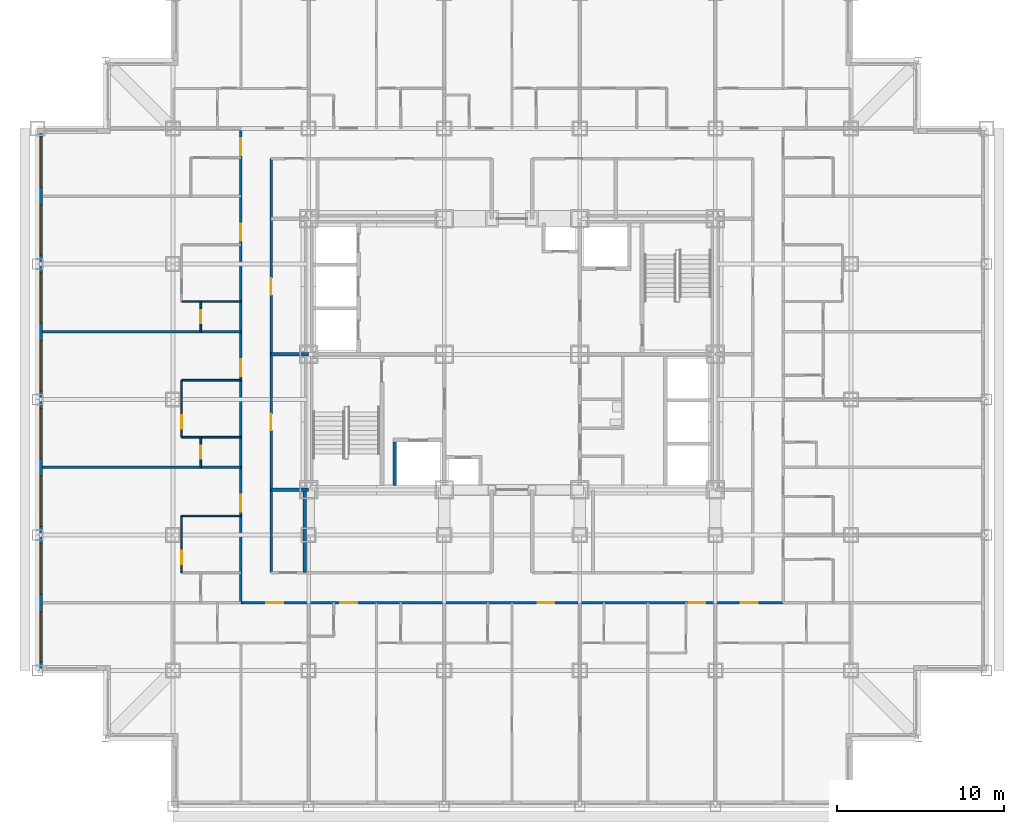
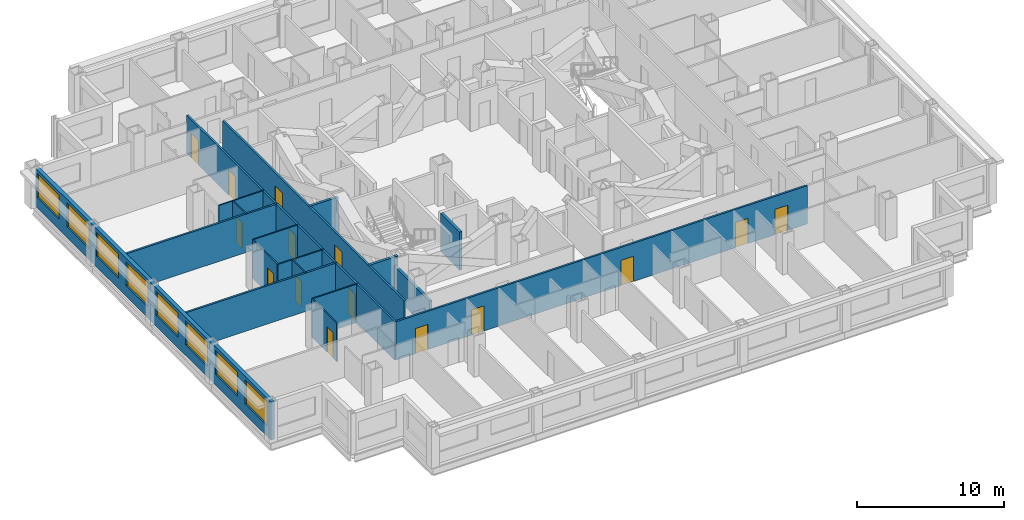
# One storey, part 5 of 13: 18 walls, 15 doors, 8 windows, 23 openings.
"""IFC4 building model written with IfcOpenShell, lengths in metres."""

from ifc_helpers import new_model, si_unit, direction, frame, frame_2d, origin, place, context, subcontext, project, spatial, rectangle, extrude, material, layer, layer_set, type_object, element, fill, save


model = new_model("IFC4")

# Units and contexts
model_context = context("Model", 3, precision=1e-05, world=origin(), true_north=direction((0.0, 1.0)))
body_context = subcontext(model_context, "Body", "Model", "MODEL_VIEW")
ifc_project = project(units=[si_unit("LENGTHUNIT", "METRE"), si_unit("AREAUNIT", "SQUARE_METRE"), si_unit("VOLUMEUNIT", "CUBIC_METRE"), si_unit("PLANEANGLEUNIT", "RADIAN"), si_unit("MASSUNIT", "GRAM", prefix="KILO")], contexts=[model_context])

# Site, building, storey
site_placement = place(None, origin())
site = spatial("IfcSite", under=ifc_project, at=site_placement, CompositionType="ELEMENT")
building_placement = place(site_placement, origin())
building = spatial("IfcBuilding", under=site, at=building_placement, Name="Kopane Lantern Tower", CompositionType="ELEMENT")
storey_placement = place(building_placement, frame((0.0, 0.0, 113.60009765625)))
storey = spatial("IfcBuildingStorey", under=building, at=storey_placement, Name="L28", CompositionType="ELEMENT", Elevation=113.60009765625)

# Wall, opening, door
ifc_material_1 = material(Name="Moisture-resistant board on steel studs", Category="steel")
ifc_layer_1 = layer(ifc_material_1, 0.10009765625)
ifc_layer_set_1 = layer_set([ifc_layer_1], Name="BATHROOM WALL 100")
wall_type_1 = type_object("IfcWallType", Name="BATHROOM WALL 100", PredefinedType="PARTITIONING", material=ifc_layer_set_1)
wall_1_placement = place(storey_placement, frame((8.610107421875, 19.35009765625, 0.0), z_axis=(0.0, 0.0, 1.0), x_axis=(0.0, 1.0, 0.0)))
wall_1 = element("IfcWall", 1, at=wall_1_placement, inside=storey, type_object=wall_type_1, Name="Bathroom Wall 100 L28", PredefinedType="PARTITIONING", context=body_context, shape_type="SweptSolid", body=[
    extrude(rectangle(XDim=3.39990234375, YDim=0.10009765625, at=frame_2d((1.699951171875, 0.0))), origin(), (0.0, 0.0, 1.0), 3.18994140625),
])
opening_1_placement = place(wall_1_placement, frame((0.5, 0.0, 0.0)))
opening_1 = element("IfcOpeningElement", 2, at=opening_1_placement, cuts=wall_1, Name="Opening L28-035", PredefinedType="OPENING", context=body_context, shape_type="SweptSolid", body=[
    extrude(rectangle(XDim=0.800048828125, YDim=2.10009765625, at=frame_2d((0.39990234375, 1.050048828125))), frame((0.0, 0.06005859375, 0.0), z_axis=(0.0, -1.0, 0.0), x_axis=(1.0, 0.0, 0.0)), (0.0, 0.0, 1.0), 0.1201171875),
])
ifc_material_2 = material(Name="Timber door set", Category="wood")
door_type_1 = type_object("IfcDoorType", Name="DOOR D2 800x2100", OperationType="SINGLE_SWING_LEFT", PredefinedType="DOOR", material=ifc_material_2)
door_1_placement = place(opening_1_placement, origin())
door_1 = element("IfcDoor", 3, at=door_1_placement, inside=storey, type_object=door_type_1, Name="Door L28-035", OperationType="SINGLE_SWING_RIGHT", OverallHeight=2.10009765625, OverallWidth=0.800048828125, PredefinedType="DOOR", context=body_context, shape_type="SweptSolid", body=[
    extrude(rectangle(XDim=0.800048828125, YDim=2.10009765625, at=frame_2d((0.39990234375, 1.050048828125))), frame((0.0, 0.02490234375, 0.0), z_axis=(0.0, -1.0, 0.0), x_axis=(1.0, 0.0, 0.0)), (0.0, 0.0, 1.0), 0.050048828125),
])
fill(opening_1, door_1)

# Wall
wall_2_placement = place(storey_placement, frame((12.14990234375, 22.75, 0.0), z_axis=(0.0, 0.0, 1.0), x_axis=(-1.0, 0.0, 0.0)))
element("IfcWall", 4, at=wall_2_placement, inside=storey, type_object=wall_type_1, Name="Bathroom Wall 100 L28", PredefinedType="PARTITIONING", context=body_context, shape_type="SweptSolid", body=[
    extrude(rectangle(XDim=3.539794921875, YDim=0.10009765625, at=frame_2d((1.77001953125, 0.0))), origin(), (0.0, 0.0, 1.0), 3.18994140625),
])

# Wall, opening, door
wall_3_placement = place(storey_placement, frame((8.610107421875, 27.449951171875, 0.0), z_axis=(0.0, 0.0, 1.0), x_axis=(0.0, 1.0, 0.0)))
wall_3 = element("IfcWall", 5, at=wall_3_placement, inside=storey, type_object=wall_type_1, Name="Bathroom Wall 100 L28", PredefinedType="PARTITIONING", context=body_context, shape_type="SweptSolid", body=[
    extrude(rectangle(XDim=3.400146484375, YDim=0.10009765625, at=frame_2d((1.7001953125, 0.0))), origin(), (0.0, 0.0, 1.0), 3.18994140625),
])
opening_2_placement = place(wall_3_placement, frame((0.5, 0.0, 0.0)))
opening_2 = element("IfcOpeningElement", 6, at=opening_2_placement, cuts=wall_3, Name="Opening L28-038", PredefinedType="OPENING", context=body_context, shape_type="SweptSolid", body=[
    extrude(rectangle(XDim=0.800048828125, YDim=2.10009765625, at=frame_2d((0.39990234375, 1.050048828125))), frame((0.0, 0.06005859375, 0.0), z_axis=(0.0, -1.0, 0.0), x_axis=(1.0, 0.0, 0.0)), (0.0, 0.0, 1.0), 0.1201171875),
])
door_2_placement = place(opening_2_placement, origin())
door_2 = element("IfcDoor", 7, at=door_2_placement, inside=storey, type_object=door_type_1, Name="Door L28-038", OperationType="SINGLE_SWING_RIGHT", OverallHeight=2.10009765625, OverallWidth=0.800048828125, PredefinedType="DOOR", context=body_context, shape_type="SweptSolid", body=[
    extrude(rectangle(XDim=0.800048828125, YDim=2.10009765625, at=frame_2d((0.39990234375, 1.050048828125))), frame((0.0, 0.02490234375, 0.0), z_axis=(0.0, -1.0, 0.0), x_axis=(1.0, 0.0, 0.0)), (0.0, 0.0, 1.0), 0.050048828125),
])
fill(opening_2, door_2)

wall_4_placement = place(storey_placement, frame((9.75, 25.64990234375, 0.0), z_axis=(0.0, 0.0, 1.0), x_axis=(0.0, 1.0, 0.0)))
wall_4 = element("IfcWall", 8, at=wall_4_placement, inside=storey, type_object=wall_type_1, Name="Bathroom Wall 100 L28", PredefinedType="PARTITIONING", context=body_context, shape_type="SweptSolid", body=[
    extrude(rectangle(XDim=1.800048828125, YDim=0.10009765625, at=frame_2d((0.89990234375, 0.0))), origin(), (0.0, 0.0, 1.0), 3.18994140625),
])
opening_3_placement = place(wall_4_placement, frame((0.5, 0.0, 0.0)))
opening_3 = element("IfcOpeningElement", 9, at=opening_3_placement, cuts=wall_4, Name="Opening L28-039", PredefinedType="OPENING", context=body_context, shape_type="SweptSolid", body=[
    extrude(rectangle(XDim=0.800048828125, YDim=2.10009765625, at=frame_2d((0.39990234375, 1.050048828125))), frame((0.0, 0.06005859375, 0.0), z_axis=(0.0, -1.0, 0.0), x_axis=(1.0, 0.0, 0.0)), (0.0, 0.0, 1.0), 0.1201171875),
])
door_3_placement = place(opening_3_placement, origin())
door_3 = element("IfcDoor", 10, at=door_3_placement, inside=storey, type_object=door_type_1, Name="Door L28-039", OperationType="SINGLE_SWING_RIGHT", OverallHeight=2.10009765625, OverallWidth=0.800048828125, PredefinedType="DOOR", context=body_context, shape_type="SweptSolid", body=[
    extrude(rectangle(XDim=0.800048828125, YDim=2.10009765625, at=frame_2d((0.39990234375, 1.050048828125))), frame((0.0, 0.02490234375, 0.0), z_axis=(0.0, -1.0, 0.0), x_axis=(1.0, 0.0, 0.0)), (0.0, 0.0, 1.0), 0.050048828125),
])
fill(opening_3, door_3)

# Walls
for number, where, z_axis, x_axis, name in (
    (11, (12.14990234375, 27.449951171875, 0.0), (0.0, 0.0, 1.0), (-1.0, 0.0, 0.0), "Bathroom Wall 100 L28"),
    (12, (12.14990234375, 30.85009765625, 0.0), (0.0, 0.0, 1.0), (-1.0, 0.0, 0.0), "Bathroom Wall 100 L28"),
):
    element("IfcWall", number, at=place(storey_placement, frame(where, z_axis=z_axis, x_axis=x_axis)), inside=storey, type_object=wall_type_1, Name=name, PredefinedType="PARTITIONING", context=body_context, shape_type="SweptSolid", body=[
        extrude(rectangle(XDim=3.539794921875, YDim=0.10009765625, at=frame_2d((1.77001953125, 0.0))), origin(), (0.0, 0.0, 1.0), 3.18994140625),
    ])

# Wall, opening, door
wall_5_placement = place(storey_placement, frame((9.75, 33.75, 0.0), z_axis=(0.0, 0.0, 1.0), x_axis=(0.0, 1.0, 0.0)))
wall_5 = element("IfcWall", 13, at=wall_5_placement, inside=storey, type_object=wall_type_1, Name="Bathroom Wall 100 L28", PredefinedType="PARTITIONING", context=body_context, shape_type="SweptSolid", body=[
    extrude(rectangle(XDim=1.800048828125, YDim=0.10009765625, at=frame_2d((0.89990234375, 0.0))), origin(), (0.0, 0.0, 1.0), 3.18994140625),
])
opening_4_placement = place(wall_5_placement, frame((0.5, 0.0, 0.0)))
opening_4 = element("IfcOpeningElement", 14, at=opening_4_placement, cuts=wall_5, Name="Opening L28-042", PredefinedType="OPENING", context=body_context, shape_type="SweptSolid", body=[
    extrude(rectangle(XDim=0.800048828125, YDim=2.10009765625, at=frame_2d((0.39990234375, 1.050048828125))), frame((0.0, 0.06005859375, 0.0), z_axis=(0.0, -1.0, 0.0), x_axis=(1.0, 0.0, 0.0)), (0.0, 0.0, 1.0), 0.1201171875),
])
door_4_placement = place(opening_4_placement, origin())
door_4 = element("IfcDoor", 15, at=door_4_placement, inside=storey, type_object=door_type_1, Name="Door L28-042", OperationType="SINGLE_SWING_RIGHT", OverallHeight=2.10009765625, OverallWidth=0.800048828125, PredefinedType="DOOR", context=body_context, shape_type="SweptSolid", body=[
    extrude(rectangle(XDim=0.800048828125, YDim=2.10009765625, at=frame_2d((0.39990234375, 1.050048828125))), frame((0.0, 0.02490234375, 0.0), z_axis=(0.0, -1.0, 0.0), x_axis=(1.0, 0.0, 0.0)), (0.0, 0.0, 1.0), 0.050048828125),
])
fill(opening_4, door_4)

# Wall
wall_6_placement = place(storey_placement, frame((12.14990234375, 35.550048828125, 0.0), z_axis=(0.0, 0.0, 1.0), x_axis=(-1.0, 0.0, 0.0)))
element("IfcWall", 16, at=wall_6_placement, inside=storey, type_object=wall_type_1, Name="Bathroom Wall 100 L28", PredefinedType="PARTITIONING", context=body_context, shape_type="SweptSolid", body=[
    extrude(rectangle(XDim=3.539794921875, YDim=0.10009765625, at=frame_2d((1.77001953125, 0.0))), origin(), (0.0, 0.0, 1.0), 3.18994140625),
])

# Wall, openings, doors
ifc_material_3 = material(Name="Gypsum board on steel studs", Category="steel")
ifc_layer_2 = layer(ifc_material_3, 0.14990234375)
ifc_layer_set_2 = layer_set([ifc_layer_2], Name="CORRIDOR WALL 150 EI 60")
wall_type_2 = type_object("IfcWallType", Name="CORRIDOR WALL 150 EI 60", PredefinedType="PARTITIONING", material=ifc_layer_set_2)
wall_7_placement = place(storey_placement, frame((12.14990234375, 17.550048828125, 0.0), z_axis=(0.0, 0.0, 1.0), x_axis=(1.0, 0.0, 0.0)))
wall_7 = element("IfcWall", 17, at=wall_7_placement, inside=storey, type_object=wall_type_2, Name="Corridor Wall 150 Ei 60 L28", PredefinedType="PARTITIONING", context=body_context, shape_type="SweptSolid", body=[
    extrude(rectangle(XDim=32.400146484375, YDim=0.14990234375, at=frame_2d((16.2001953125, 0.0))), origin(), (0.0, 0.0, 1.0), 3.18994140625),
])
opening_5_placement = place(wall_7_placement, frame((5.949951171875, 0.0, 0.0)))
opening_5 = element("IfcOpeningElement", 18, at=opening_5_placement, cuts=wall_7, Name="Opening L28-014", PredefinedType="OPENING", context=body_context, shape_type="SweptSolid", body=[
    extrude(rectangle(XDim=1.0, YDim=2.10009765625, at=frame_2d((0.5, 1.050048828125))), frame((0.0, 0.0849609375, 0.0), z_axis=(0.0, -1.0, 0.0), x_axis=(1.0, 0.0, 0.0)), (0.0, 0.0, 1.0), 0.169921875),
])
opening_6_placement = place(wall_7_placement, frame((17.72509765625, 0.0, 0.0)))
opening_6 = element("IfcOpeningElement", 19, at=opening_6_placement, cuts=wall_7, Name="Opening L28-017", PredefinedType="OPENING", context=body_context, shape_type="SweptSolid", body=[
    extrude(rectangle(XDim=1.0, YDim=2.10009765625, at=frame_2d((0.5, 1.050048828125))), frame((0.0, 0.0849609375, 0.0), z_axis=(0.0, -1.0, 0.0), x_axis=(1.0, 0.0, 0.0)), (0.0, 0.0, 1.0), 0.169921875),
])
opening_7_placement = place(wall_7_placement, frame((26.75, 0.0, 0.0)))
opening_7 = element("IfcOpeningElement", 20, at=opening_7_placement, cuts=wall_7, Name="Opening L28-023", PredefinedType="OPENING", context=body_context, shape_type="SweptSolid", body=[
    extrude(rectangle(XDim=1.0, YDim=2.10009765625, at=frame_2d((0.5, 1.050048828125))), frame((0.0, 0.0849609375, 0.0), z_axis=(0.0, -1.0, 0.0), x_axis=(1.0, 0.0, 0.0)), (0.0, 0.0, 1.0), 0.169921875),
])
opening_8_placement = place(wall_7_placement, frame((1.52490234375, 0.0, 0.0)))
opening_8 = element("IfcOpeningElement", 21, at=opening_8_placement, cuts=wall_7, Name="Opening L28-059", PredefinedType="OPENING", context=body_context, shape_type="SweptSolid", body=[
    extrude(rectangle(XDim=1.0, YDim=2.10009765625, at=frame_2d((0.5, 1.050048828125))), frame((0.0, 0.0849609375, 0.0), z_axis=(0.0, -1.0, 0.0), x_axis=(1.0, 0.0, 0.0)), (0.0, 0.0, 1.0), 0.169921875),
])
opening_9_placement = place(wall_7_placement, frame((29.875, 0.0, 0.0)))
opening_9 = element("IfcOpeningElement", 22, at=opening_9_placement, cuts=wall_7, Name="Opening L28-063", PredefinedType="OPENING", context=body_context, shape_type="SweptSolid", body=[
    extrude(rectangle(XDim=1.0, YDim=2.10009765625, at=frame_2d((0.5, 1.050048828125))), frame((0.0, 0.0849609375, 0.0), z_axis=(0.0, -1.0, 0.0), x_axis=(1.0, 0.0, 0.0)), (0.0, 0.0, 1.0), 0.169921875),
])
ifc_material_4 = material(Name="Steel door set", Category="steel")
door_type_2 = type_object("IfcDoorType", Name="DOOR D1 1000x2100 FD30S", OperationType="SINGLE_SWING_LEFT", PredefinedType="DOOR", material=ifc_material_4)
door_5_placement = place(opening_5_placement, origin())
door_5 = element("IfcDoor", 23, at=door_5_placement, inside=storey, type_object=door_type_2, Name="Door L28-014", OperationType="SINGLE_SWING_RIGHT", OverallHeight=2.10009765625, OverallWidth=1.0, PredefinedType="DOOR", context=body_context, shape_type="SweptSolid", body=[
    extrude(rectangle(XDim=1.0, YDim=2.10009765625, at=frame_2d((0.5, 1.050048828125))), frame((0.0, 0.02490234375, 0.0), z_axis=(0.0, -1.0, 0.0), x_axis=(1.0, 0.0, 0.0)), (0.0, 0.0, 1.0), 0.050048828125),
])
fill(opening_5, door_5)
door_6_placement = place(opening_6_placement, origin())
door_6 = element("IfcDoor", 24, at=door_6_placement, inside=storey, type_object=door_type_2, Name="Door L28-017", OperationType="SINGLE_SWING_RIGHT", OverallHeight=2.10009765625, OverallWidth=1.0, PredefinedType="DOOR", context=body_context, shape_type="SweptSolid", body=[
    extrude(rectangle(XDim=1.0, YDim=2.10009765625, at=frame_2d((0.5, 1.050048828125))), frame((0.0, 0.02490234375, 0.0), z_axis=(0.0, -1.0, 0.0), x_axis=(1.0, 0.0, 0.0)), (0.0, 0.0, 1.0), 0.050048828125),
])
fill(opening_6, door_6)
door_7_placement = place(opening_7_placement, origin())
door_7 = element("IfcDoor", 25, at=door_7_placement, inside=storey, type_object=door_type_2, Name="Door L28-023", OperationType="SINGLE_SWING_RIGHT", OverallHeight=2.10009765625, OverallWidth=1.0, PredefinedType="DOOR", context=body_context, shape_type="SweptSolid", body=[
    extrude(rectangle(XDim=1.0, YDim=2.10009765625, at=frame_2d((0.5, 1.050048828125))), frame((0.0, 0.02490234375, 0.0), z_axis=(0.0, -1.0, 0.0), x_axis=(1.0, 0.0, 0.0)), (0.0, 0.0, 1.0), 0.050048828125),
])
fill(opening_7, door_7)
door_8_placement = place(opening_8_placement, origin())
door_8 = element("IfcDoor", 26, at=door_8_placement, inside=storey, type_object=door_type_2, Name="Door L28-059", OperationType="SINGLE_SWING_LEFT", OverallHeight=2.10009765625, OverallWidth=1.0, PredefinedType="DOOR", context=body_context, shape_type="SweptSolid", body=[
    extrude(rectangle(XDim=1.0, YDim=2.10009765625, at=frame_2d((0.5, 1.050048828125))), frame((0.0, 0.02490234375, 0.0), z_axis=(0.0, -1.0, 0.0), x_axis=(1.0, 0.0, 0.0)), (0.0, 0.0, 1.0), 0.050048828125),
])
fill(opening_8, door_8)
door_9_placement = place(opening_9_placement, origin())
door_9 = element("IfcDoor", 27, at=door_9_placement, inside=storey, type_object=door_type_2, Name="Door L28-063", OperationType="SINGLE_SWING_RIGHT", OverallHeight=2.10009765625, OverallWidth=1.0, PredefinedType="DOOR", context=body_context, shape_type="SweptSolid", body=[
    extrude(rectangle(XDim=1.0, YDim=2.10009765625, at=frame_2d((0.5, 1.050048828125))), frame((0.0, 0.02490234375, 0.0), z_axis=(0.0, -1.0, 0.0), x_axis=(1.0, 0.0, 0.0)), (0.0, 0.0, 1.0), 0.050048828125),
])
fill(opening_9, door_9)

wall_8_placement = place(storey_placement, frame((12.14990234375, 17.550048828125, 0.0), z_axis=(0.0, 0.0, 1.0), x_axis=(0.0, 1.0, 0.0)))
wall_8 = element("IfcWall", 28, at=wall_8_placement, inside=storey, type_object=wall_type_2, Name="Corridor Wall 150 Ei 60 L28", PredefinedType="PARTITIONING", context=body_context, shape_type="SweptSolid", body=[
    extrude(rectangle(XDim=28.349853515625, YDim=0.14990234375, at=frame_2d((14.1748046875, 0.0))), origin(), (0.0, 0.0, 1.0), 3.18994140625),
])
opening_10_placement = place(wall_8_placement, frame((5.449951171875, 0.0, 0.0)))
opening_10 = element("IfcOpeningElement", 29, at=opening_10_placement, cuts=wall_8, Name="Opening L28-037", PredefinedType="OPENING", context=body_context, shape_type="SweptSolid", body=[
    extrude(rectangle(XDim=1.0, YDim=2.10009765625, at=frame_2d((0.5, 1.050048828125))), frame((0.0, 0.0849609375, 0.0), z_axis=(0.0, -1.0, 0.0), x_axis=(1.0, 0.0, 0.0)), (0.0, 0.0, 1.0), 0.169921875),
])
opening_11_placement = place(wall_8_placement, frame((13.550048828125, 0.0, 0.0)))
opening_11 = element("IfcOpeningElement", 30, at=opening_11_placement, cuts=wall_8, Name="Opening L28-040", PredefinedType="OPENING", context=body_context, shape_type="SweptSolid", body=[
    extrude(rectangle(XDim=1.0, YDim=2.10009765625, at=frame_2d((0.5, 1.050048828125))), frame((0.0, 0.0849609375, 0.0), z_axis=(0.0, -1.0, 0.0), x_axis=(1.0, 0.0, 0.0)), (0.0, 0.0, 1.0), 0.169921875),
])
opening_12_placement = place(wall_8_placement, frame((21.64990234375, 0.0, 0.0)))
opening_12 = element("IfcOpeningElement", 31, at=opening_12_placement, cuts=wall_8, Name="Opening L28-043", PredefinedType="OPENING", context=body_context, shape_type="SweptSolid", body=[
    extrude(rectangle(XDim=1.0, YDim=2.10009765625, at=frame_2d((0.5, 1.050048828125))), frame((0.0, 0.0849609375, 0.0), z_axis=(0.0, -1.0, 0.0), x_axis=(1.0, 0.0, 0.0)), (0.0, 0.0, 1.0), 0.169921875),
])
opening_13_placement = place(wall_8_placement, frame((26.75, 0.0, 0.0)))
opening_13 = element("IfcOpeningElement", 32, at=opening_13_placement, cuts=wall_8, Name="Opening L28-045", PredefinedType="OPENING", context=body_context, shape_type="SweptSolid", body=[
    extrude(rectangle(XDim=1.0, YDim=2.10009765625, at=frame_2d((0.5, 1.050048828125))), frame((0.0, 0.0849609375, 0.0), z_axis=(0.0, -1.0, 0.0), x_axis=(1.0, 0.0, 0.0)), (0.0, 0.0, 1.0), 0.169921875),
])
door_10_placement = place(opening_10_placement, origin())
door_10 = element("IfcDoor", 33, at=door_10_placement, inside=storey, type_object=door_type_2, Name="Door L28-037", OperationType="SINGLE_SWING_LEFT", OverallHeight=2.10009765625, OverallWidth=1.0, PredefinedType="DOOR", context=body_context, shape_type="SweptSolid", body=[
    extrude(rectangle(XDim=1.0, YDim=2.10009765625, at=frame_2d((0.5, 1.050048828125))), frame((0.0, 0.02490234375, 0.0), z_axis=(0.0, -1.0, 0.0), x_axis=(1.0, 0.0, 0.0)), (0.0, 0.0, 1.0), 0.050048828125),
])
fill(opening_10, door_10)
door_11_placement = place(opening_11_placement, origin())
door_11 = element("IfcDoor", 34, at=door_11_placement, inside=storey, type_object=door_type_2, Name="Door L28-040", OperationType="SINGLE_SWING_LEFT", OverallHeight=2.10009765625, OverallWidth=1.0, PredefinedType="DOOR", context=body_context, shape_type="SweptSolid", body=[
    extrude(rectangle(XDim=1.0, YDim=2.10009765625, at=frame_2d((0.5, 1.050048828125))), frame((0.0, 0.02490234375, 0.0), z_axis=(0.0, -1.0, 0.0), x_axis=(1.0, 0.0, 0.0)), (0.0, 0.0, 1.0), 0.050048828125),
])
fill(opening_11, door_11)
door_12_placement = place(opening_12_placement, origin())
door_12 = element("IfcDoor", 35, at=door_12_placement, inside=storey, type_object=door_type_2, Name="Door L28-043", OperationType="SINGLE_SWING_LEFT", OverallHeight=2.10009765625, OverallWidth=1.0, PredefinedType="DOOR", context=body_context, shape_type="SweptSolid", body=[
    extrude(rectangle(XDim=1.0, YDim=2.10009765625, at=frame_2d((0.5, 1.050048828125))), frame((0.0, 0.02490234375, 0.0), z_axis=(0.0, -1.0, 0.0), x_axis=(1.0, 0.0, 0.0)), (0.0, 0.0, 1.0), 0.050048828125),
])
fill(opening_12, door_12)
door_13_placement = place(opening_13_placement, origin())
door_13 = element("IfcDoor", 36, at=door_13_placement, inside=storey, type_object=door_type_2, Name="Door L28-045", OperationType="SINGLE_SWING_LEFT", OverallHeight=2.10009765625, OverallWidth=1.0, PredefinedType="DOOR", context=body_context, shape_type="SweptSolid", body=[
    extrude(rectangle(XDim=1.0, YDim=2.10009765625, at=frame_2d((0.5, 1.050048828125))), frame((0.0, 0.02490234375, 0.0), z_axis=(0.0, -1.0, 0.0), x_axis=(1.0, 0.0, 0.0)), (0.0, 0.0, 1.0), 0.050048828125),
])
fill(opening_13, door_13)

wall_9_placement = place(storey_placement, frame((13.949951171875, 44.10009765625, 0.0), z_axis=(0.0, 0.0, 1.0), x_axis=(0.0, -1.0, 0.0)))
wall_9 = element("IfcWall", 37, at=wall_9_placement, inside=storey, type_object=wall_type_2, Name="Corridor Wall 150 Ei 60 L28", PredefinedType="PARTITIONING", context=body_context, shape_type="SweptSolid", body=[
    extrude(rectangle(XDim=24.75, YDim=0.14990234375, at=frame_2d((12.375, 0.0))), origin(), (0.0, 0.0, 1.0), 3.18994140625),
])
opening_14_placement = place(wall_9_placement, frame((15.25, 0.0, 0.0)))
opening_14 = element("IfcOpeningElement", 38, at=opening_14_placement, cuts=wall_9, Name="Opening L28-001", PredefinedType="OPENING", context=body_context, shape_type="SweptSolid", body=[
    extrude(rectangle(XDim=1.0, YDim=2.10009765625, at=frame_2d((0.5, 1.050048828125))), frame((0.0, 0.0849609375, 0.0), z_axis=(0.0, -1.0, 0.0), x_axis=(1.0, 0.0, 0.0)), (0.0, 0.0, 1.0), 0.169921875),
])
opening_15_placement = place(wall_9_placement, frame((7.14990234375, 0.0, 0.0)))
opening_15 = element("IfcOpeningElement", 39, at=opening_15_placement, cuts=wall_9, Name="Opening L28-002", PredefinedType="OPENING", context=body_context, shape_type="SweptSolid", body=[
    extrude(rectangle(XDim=1.0, YDim=2.10009765625, at=frame_2d((0.5, 1.050048828125))), frame((0.0, 0.0849609375, 0.0), z_axis=(0.0, -1.0, 0.0), x_axis=(1.0, 0.0, 0.0)), (0.0, 0.0, 1.0), 0.169921875),
])
ifc_material_5 = material(Name="Steel door set", Category="steel")
door_type_3 = type_object("IfcDoorType", Name="DOOR D5 1000x2100 FD60", OperationType="SINGLE_SWING_LEFT", PredefinedType="DOOR", material=ifc_material_5)
door_14_placement = place(opening_14_placement, origin())
door_14 = element("IfcDoor", 40, at=door_14_placement, inside=storey, type_object=door_type_3, Name="Door L28-001", OperationType="SINGLE_SWING_RIGHT", OverallHeight=2.10009765625, OverallWidth=1.0, PredefinedType="DOOR", context=body_context, shape_type="SweptSolid", body=[
    extrude(rectangle(XDim=1.0, YDim=2.10009765625, at=frame_2d((0.5, 1.050048828125))), frame((0.0, 0.02490234375, 0.0), z_axis=(0.0, -1.0, 0.0), x_axis=(1.0, 0.0, 0.0)), (0.0, 0.0, 1.0), 0.050048828125),
])
fill(opening_14, door_14)
door_15_placement = place(opening_15_placement, origin())
door_15 = element("IfcDoor", 41, at=door_15_placement, inside=storey, type_object=door_type_3, Name="Door L28-002", OperationType="SINGLE_SWING_LEFT", OverallHeight=2.10009765625, OverallWidth=1.0, PredefinedType="DOOR", context=body_context, shape_type="SweptSolid", body=[
    extrude(rectangle(XDim=1.0, YDim=2.10009765625, at=frame_2d((0.5, 1.050048828125))), frame((0.0, 0.02490234375, 0.0), z_axis=(0.0, -1.0, 0.0), x_axis=(1.0, 0.0, 0.0)), (0.0, 0.0, 1.0), 0.050048828125),
])
fill(opening_15, door_15)

# Walls
ifc_material_6 = material(Name="Gypsum board on steel studs", Category="steel")
ifc_layer_3 = layer(ifc_material_6, 0.14990234375)
ifc_layer_set_3 = layer_set([ifc_layer_3], Name="DEMISING WALL 150 EI 60")
wall_type_3 = type_object("IfcWallType", Name="DEMISING WALL 150 EI 60", PredefinedType="PARTITIONING", material=ifc_layer_set_3)
for number, where, z_axis, x_axis, name in (
    (42, (12.14990234375, 25.64990234375, 0.0), (0.0, 0.0, 1.0), (-1.0, 0.0, 0.0), "Demising Wall 150 Ei 60 L28"),
    (43, (12.14990234375, 33.75, 0.0), (0.0, 0.0, 1.0), (-1.0, 0.0, 0.0), "Demising Wall 150 Ei 60 L28"),
):
    element("IfcWall", number, at=place(storey_placement, frame(where, z_axis=z_axis, x_axis=x_axis)), inside=storey, type_object=wall_type_3, Name=name, PredefinedType="PARTITIONING", context=body_context, shape_type="SweptSolid", body=[
        extrude(rectangle(XDim=11.849853515625, YDim=0.14990234375, at=frame_2d((5.9248046875, 0.0))), origin(), (0.0, 0.0, 1.0), 3.18994140625),
    ])

# Wall, openings, windows
ifc_material_7 = material(Name="Terracotta rainscreen on light steel framing", Category="masonry")
ifc_layer_4 = layer(ifc_material_7, 0.300048828125)
ifc_layer_set_4 = layer_set([ifc_layer_4], Name="EXTERNAL WALL EW1 300 TERRACOTTA")
wall_type_4 = type_object("IfcWallType", Name="EXTERNAL WALL EW1 300 TERRACOTTA", PredefinedType="SOLIDWALL", material=ifc_layer_set_4)
wall_10_placement = place(storey_placement, frame((0.14990234375, 45.60009765625, 0.0), z_axis=(0.0, 0.0, 1.0), x_axis=(0.0, -1.0, 0.0)))
wall_10 = element("IfcWall", 44, at=wall_10_placement, inside=storey, type_object=wall_type_4, Name="External wall W L28", PredefinedType="SOLIDWALL", context=body_context, shape_type="SweptSolid", body=[
    extrude(rectangle(XDim=32.10009765625, YDim=0.300048828125, at=frame_2d((16.050048828125, 0.0))), origin(), (0.0, 0.0, 1.0), 3.18994140625),
])
opening_16_placement = place(wall_10_placement, frame((0.22509765625, 0.0, 0.89990234375)))
opening_16 = element("IfcOpeningElement", 45, at=opening_16_placement, cuts=wall_10, Name="Opening WR300200", PredefinedType="OPENING", context=body_context, shape_type="SweptSolid", body=[
    extrude(rectangle(XDim=3.0, YDim=2.0, at=frame_2d((1.5, 1.0))), frame((0.0, 0.159912109375, 0.0), z_axis=(0.0, -1.0, 0.0), x_axis=(1.0, 0.0, 0.0)), (0.0, 0.0, 1.0), 0.320068359375),
])
opening_17_placement = place(wall_10_placement, frame((4.27490234375, 0.0, 0.89990234375)))
opening_17 = element("IfcOpeningElement", 46, at=opening_17_placement, cuts=wall_10, Name="Opening WR300200", PredefinedType="OPENING", context=body_context, shape_type="SweptSolid", body=[
    extrude(rectangle(XDim=3.0, YDim=2.0, at=frame_2d((1.5, 1.0))), frame((0.0, 0.159912109375, 0.0), z_axis=(0.0, -1.0, 0.0), x_axis=(1.0, 0.0, 0.0)), (0.0, 0.0, 1.0), 0.320068359375),
])
opening_18_placement = place(wall_10_placement, frame((8.324951171875, 0.0, 0.89990234375)))
opening_18 = element("IfcOpeningElement", 47, at=opening_18_placement, cuts=wall_10, Name="Opening WR300200", PredefinedType="OPENING", context=body_context, shape_type="SweptSolid", body=[
    extrude(rectangle(XDim=3.0, YDim=2.0, at=frame_2d((1.5, 1.0))), frame((0.0, 0.159912109375, 0.0), z_axis=(0.0, -1.0, 0.0), x_axis=(1.0, 0.0, 0.0)), (0.0, 0.0, 1.0), 0.320068359375),
])
opening_19_placement = place(wall_10_placement, frame((12.375, 0.0, 0.89990234375)))
opening_19 = element("IfcOpeningElement", 48, at=opening_19_placement, cuts=wall_10, Name="Opening WR300200", PredefinedType="OPENING", context=body_context, shape_type="SweptSolid", body=[
    extrude(rectangle(XDim=3.0, YDim=2.0, at=frame_2d((1.5, 1.0))), frame((0.0, 0.159912109375, 0.0), z_axis=(0.0, -1.0, 0.0), x_axis=(1.0, 0.0, 0.0)), (0.0, 0.0, 1.0), 0.320068359375),
])
opening_20_placement = place(wall_10_placement, frame((16.425048828125, 0.0, 0.89990234375)))
opening_20 = element("IfcOpeningElement", 49, at=opening_20_placement, cuts=wall_10, Name="Opening WR300200", PredefinedType="OPENING", context=body_context, shape_type="SweptSolid", body=[
    extrude(rectangle(XDim=3.0, YDim=2.0, at=frame_2d((1.5, 1.0))), frame((0.0, 0.159912109375, 0.0), z_axis=(0.0, -1.0, 0.0), x_axis=(1.0, 0.0, 0.0)), (0.0, 0.0, 1.0), 0.320068359375),
])
opening_21_placement = place(wall_10_placement, frame((20.47509765625, 0.0, 0.89990234375)))
opening_21 = element("IfcOpeningElement", 50, at=opening_21_placement, cuts=wall_10, Name="Opening WR300200", PredefinedType="OPENING", context=body_context, shape_type="SweptSolid", body=[
    extrude(rectangle(XDim=3.0, YDim=2.0, at=frame_2d((1.5, 1.0))), frame((0.0, 0.159912109375, 0.0), z_axis=(0.0, -1.0, 0.0), x_axis=(1.0, 0.0, 0.0)), (0.0, 0.0, 1.0), 0.320068359375),
])
opening_22_placement = place(wall_10_placement, frame((24.52490234375, 0.0, 0.89990234375)))
opening_22 = element("IfcOpeningElement", 51, at=opening_22_placement, cuts=wall_10, Name="Opening WR300200", PredefinedType="OPENING", context=body_context, shape_type="SweptSolid", body=[
    extrude(rectangle(XDim=3.0, YDim=2.0, at=frame_2d((1.5, 1.0))), frame((0.0, 0.159912109375, 0.0), z_axis=(0.0, -1.0, 0.0), x_axis=(1.0, 0.0, 0.0)), (0.0, 0.0, 1.0), 0.320068359375),
])
opening_23_placement = place(wall_10_placement, frame((28.574951171875, 0.0, 0.89990234375)))
opening_23 = element("IfcOpeningElement", 52, at=opening_23_placement, cuts=wall_10, Name="Opening WR300200", PredefinedType="OPENING", context=body_context, shape_type="SweptSolid", body=[
    extrude(rectangle(XDim=3.0, YDim=2.0, at=frame_2d((1.5, 1.0))), frame((0.0, 0.159912109375, 0.0), z_axis=(0.0, -1.0, 0.0), x_axis=(1.0, 0.0, 0.0)), (0.0, 0.0, 1.0), 0.320068359375),
])
ifc_material_8 = material(Name="Aluminium and clear glass", Category="aluminium")
window_type = type_object("IfcWindowType", Name="RIBBON WINDOW WR300200 3000x2000", PartitioningType="SINGLE_PANEL", PredefinedType="WINDOW", material=ifc_material_8)
window_1_placement = place(opening_16_placement, origin())
window_1 = element("IfcWindow", 53, at=window_1_placement, inside=storey, type_object=window_type, Name="Window W L28", OverallHeight=2.0, OverallWidth=3.0, PartitioningType="SINGLE_PANEL", PredefinedType="WINDOW", context=body_context, shape_type="SweptSolid", body=[
    extrude(rectangle(XDim=3.0, YDim=2.0, at=frame_2d((1.5, 1.0))), frame((0.0, 0.030029296875, 0.0), z_axis=(0.0, -1.0, 0.0), x_axis=(1.0, 0.0, 0.0)), (0.0, 0.0, 1.0), 0.06005859375),
])
fill(opening_16, window_1)
window_2_placement = place(opening_17_placement, origin())
window_2 = element("IfcWindow", 54, at=window_2_placement, inside=storey, type_object=window_type, Name="Window W L28", OverallHeight=2.0, OverallWidth=3.0, PartitioningType="SINGLE_PANEL", PredefinedType="WINDOW", context=body_context, shape_type="SweptSolid", body=[
    extrude(rectangle(XDim=3.0, YDim=2.0, at=frame_2d((1.5, 1.0))), frame((0.0, 0.030029296875, 0.0), z_axis=(0.0, -1.0, 0.0), x_axis=(1.0, 0.0, 0.0)), (0.0, 0.0, 1.0), 0.06005859375),
])
fill(opening_17, window_2)
window_3_placement = place(opening_18_placement, origin())
window_3 = element("IfcWindow", 55, at=window_3_placement, inside=storey, type_object=window_type, Name="Window W L28", OverallHeight=2.0, OverallWidth=3.0, PartitioningType="SINGLE_PANEL", PredefinedType="WINDOW", context=body_context, shape_type="SweptSolid", body=[
    extrude(rectangle(XDim=3.0, YDim=2.0, at=frame_2d((1.5, 1.0))), frame((0.0, 0.030029296875, 0.0), z_axis=(0.0, -1.0, 0.0), x_axis=(1.0, 0.0, 0.0)), (0.0, 0.0, 1.0), 0.06005859375),
])
fill(opening_18, window_3)
window_4_placement = place(opening_19_placement, origin())
window_4 = element("IfcWindow", 56, at=window_4_placement, inside=storey, type_object=window_type, Name="Window W L28", OverallHeight=2.0, OverallWidth=3.0, PartitioningType="SINGLE_PANEL", PredefinedType="WINDOW", context=body_context, shape_type="SweptSolid", body=[
    extrude(rectangle(XDim=3.0, YDim=2.0, at=frame_2d((1.5, 1.0))), frame((0.0, 0.030029296875, 0.0), z_axis=(0.0, -1.0, 0.0), x_axis=(1.0, 0.0, 0.0)), (0.0, 0.0, 1.0), 0.06005859375),
])
fill(opening_19, window_4)
window_5_placement = place(opening_20_placement, origin())
window_5 = element("IfcWindow", 57, at=window_5_placement, inside=storey, type_object=window_type, Name="Window W L28", OverallHeight=2.0, OverallWidth=3.0, PartitioningType="SINGLE_PANEL", PredefinedType="WINDOW", context=body_context, shape_type="SweptSolid", body=[
    extrude(rectangle(XDim=3.0, YDim=2.0, at=frame_2d((1.5, 1.0))), frame((0.0, 0.030029296875, 0.0), z_axis=(0.0, -1.0, 0.0), x_axis=(1.0, 0.0, 0.0)), (0.0, 0.0, 1.0), 0.06005859375),
])
fill(opening_20, window_5)
window_6_placement = place(opening_21_placement, origin())
window_6 = element("IfcWindow", 58, at=window_6_placement, inside=storey, type_object=window_type, Name="Window W L28", OverallHeight=2.0, OverallWidth=3.0, PartitioningType="SINGLE_PANEL", PredefinedType="WINDOW", context=body_context, shape_type="SweptSolid", body=[
    extrude(rectangle(XDim=3.0, YDim=2.0, at=frame_2d((1.5, 1.0))), frame((0.0, 0.030029296875, 0.0), z_axis=(0.0, -1.0, 0.0), x_axis=(1.0, 0.0, 0.0)), (0.0, 0.0, 1.0), 0.06005859375),
])
fill(opening_21, window_6)
window_7_placement = place(opening_22_placement, origin())
window_7 = element("IfcWindow", 59, at=window_7_placement, inside=storey, type_object=window_type, Name="Window W L28", OverallHeight=2.0, OverallWidth=3.0, PartitioningType="SINGLE_PANEL", PredefinedType="WINDOW", context=body_context, shape_type="SweptSolid", body=[
    extrude(rectangle(XDim=3.0, YDim=2.0, at=frame_2d((1.5, 1.0))), frame((0.0, 0.030029296875, 0.0), z_axis=(0.0, -1.0, 0.0), x_axis=(1.0, 0.0, 0.0)), (0.0, 0.0, 1.0), 0.06005859375),
])
fill(opening_22, window_7)
window_8_placement = place(opening_23_placement, origin())
window_8 = element("IfcWindow", 60, at=window_8_placement, inside=storey, type_object=window_type, Name="Window W L28", OverallHeight=2.0, OverallWidth=3.0, PartitioningType="SINGLE_PANEL", PredefinedType="WINDOW", context=body_context, shape_type="SweptSolid", body=[
    extrude(rectangle(XDim=3.0, YDim=2.0, at=frame_2d((1.5, 1.0))), frame((0.0, 0.030029296875, 0.0), z_axis=(0.0, -1.0, 0.0), x_axis=(1.0, 0.0, 0.0)), (0.0, 0.0, 1.0), 0.06005859375),
])
fill(opening_23, window_8)

# Walls
ifc_material_9 = material(Name="Concrete masonry", Category="masonry")
ifc_layer_5 = layer(ifc_material_9, 0.199951171875)
ifc_layer_set_5 = layer_set([ifc_layer_5], Name="PLANT ROOM WALL 200 EI 120")
wall_type_5 = type_object("IfcWallType", Name="PLANT ROOM WALL 200 EI 120", PredefinedType="SOLIDWALL", material=ifc_layer_set_5)
wall_11_placement = place(storey_placement, frame((13.949951171875, 32.39990234375, 0.0), z_axis=(0.0, 0.0, 1.0), x_axis=(1.0, 0.0, 0.0)))
element("IfcWall", 61, at=wall_11_placement, inside=storey, type_object=wall_type_5, Name="Plant Room Wall 200 Ei 120 L28", PredefinedType="SOLIDWALL", context=body_context, shape_type="SweptSolid", body=[
    extrude(rectangle(XDim=2.25, YDim=0.199951171875, at=frame_2d((1.125, 0.0))), origin(), (0.0, 0.0, 1.0), 3.18994140625),
])
wall_12_placement = place(storey_placement, frame((15.97021484375, 19.35009765625, 0.0), z_axis=(0.0, 0.0, 1.0), x_axis=(0.0, 1.0, 0.0)))
element("IfcWall", 62, at=wall_12_placement, inside=storey, type_object=wall_type_5, Name="Plant Room Wall 200 Ei 120 L28", PredefinedType="SOLIDWALL", context=body_context, shape_type="SweptSolid", body=[
    extrude(rectangle(XDim=4.949951171875, YDim=0.199951171875, at=frame_2d((2.47509765625, 0.0))), origin(), (0.0, 0.0, 1.0), 2.489990234375),
])
wall_13_placement = place(storey_placement, frame((13.949951171875, 24.300048828125, 0.0), z_axis=(0.0, 0.0, 1.0), x_axis=(1.0, 0.0, 0.0)))
element("IfcWall", 63, at=wall_13_placement, inside=storey, type_object=wall_type_5, Name="Plant Room Wall 200 Ei 120 L28", PredefinedType="SOLIDWALL", context=body_context, shape_type="SweptSolid", body=[
    extrude(rectangle(XDim=2.25, YDim=0.199951171875, at=frame_2d((1.125, 0.0))), origin(), (0.0, 0.0, 1.0), 3.18994140625),
])
ifc_material_10 = material(Name="Gypsum shaft wall EI 120", Category="gypsum")
ifc_layer_6 = layer(ifc_material_10, 0.199951171875)
ifc_layer_set_6 = layer_set([ifc_layer_6], Name="SHAFT WALL 200 EI 120")
wall_type_6 = type_object("IfcWallType", Name="SHAFT WALL 200 EI 120", PredefinedType="SOLIDWALL", material=ifc_layer_set_6)
wall_14_placement = place(storey_placement, frame((21.35009765625, 24.550048828125, 0.0), z_axis=(0.0, 0.0, 1.0), x_axis=(0.0, 1.0, 0.0)))
element("IfcWall", 64, at=wall_14_placement, inside=storey, type_object=wall_type_6, Name="Core shaft wall L28 XLF1", PredefinedType="SOLIDWALL", context=body_context, shape_type="SweptSolid", body=[
    extrude(rectangle(XDim=2.599853515625, YDim=0.199951171875, at=frame_2d((1.2998046875, 0.0))), origin(), (0.0, 0.0, 1.0), 3.18994140625),
])

save(model, "model.ifc")
